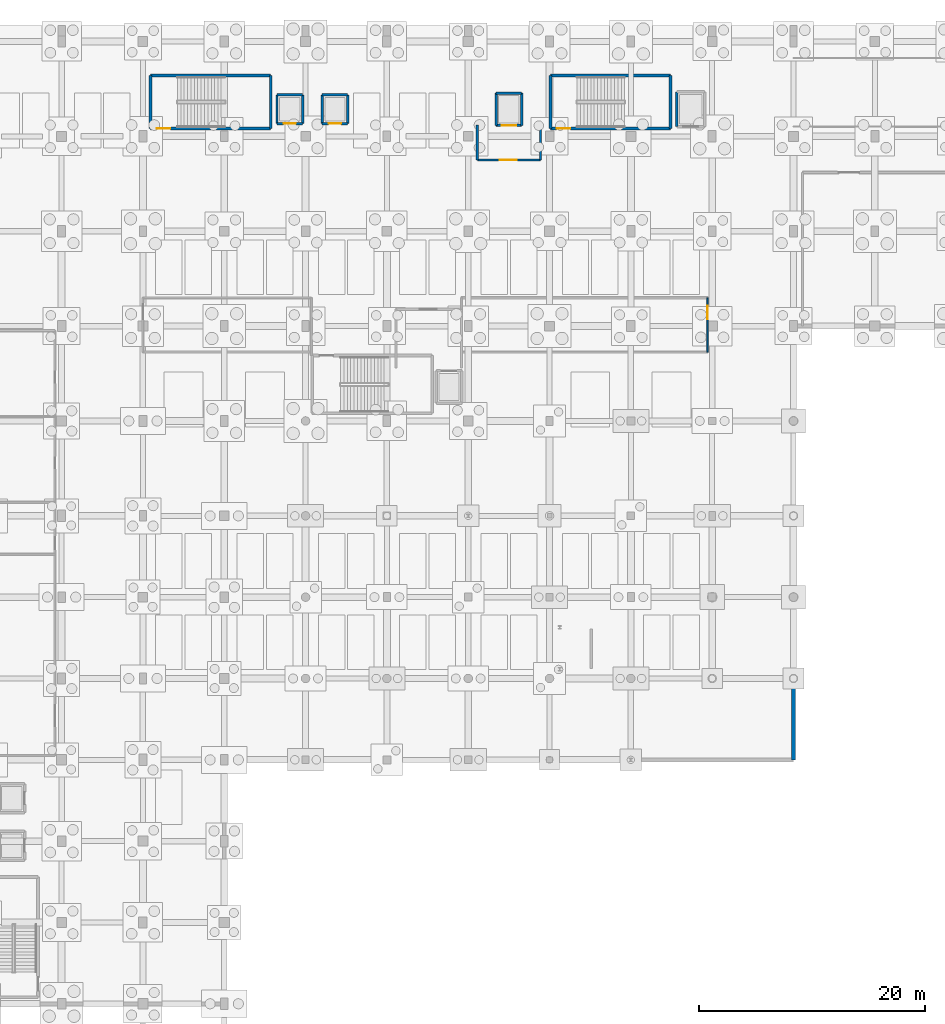
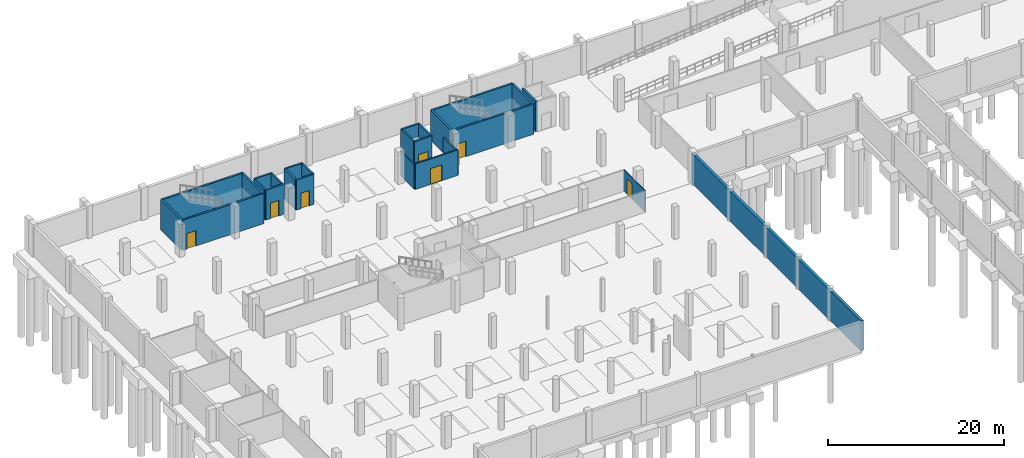
# One storey, part 23 of 35: 26 walls, 7 doors, 7 openings.
"""IFC4 building model written with IfcOpenShell, lengths in metres."""

from ifc_helpers import new_model, si_unit, direction, frame, frame_2d, origin, place, context, subcontext, project, spatial, rectangle, extrude, material, layer, layer_set, type_object, element, fill, save


model = new_model("IFC4")

# Units and contexts
model_context = context("Model", 3, precision=1e-05, world=origin(), true_north=direction((0.0, 1.0)))
body_context = subcontext(model_context, "Body", "Model", "MODEL_VIEW")
ifc_project = project(units=[si_unit("LENGTHUNIT", "METRE"), si_unit("AREAUNIT", "SQUARE_METRE"), si_unit("VOLUMEUNIT", "CUBIC_METRE"), si_unit("PLANEANGLEUNIT", "RADIAN"), si_unit("MASSUNIT", "GRAM", prefix="KILO")], contexts=[model_context])

# Site, building, storey
site_placement = place(None, origin())
site = spatial("IfcSite", under=ifc_project, at=site_placement, CompositionType="ELEMENT")
building_placement = place(site_placement, origin())
building = spatial("IfcBuilding", under=site, at=building_placement, Name="Kalluvel Institute of Natural Sciences", CompositionType="ELEMENT")
storey_placement = place(building_placement, frame((0.0, 0.0, -4.5)))
storey = spatial("IfcBuildingStorey", under=building, at=storey_placement, Name="B1", CompositionType="ELEMENT", Elevation=-4.5)

# Wall, opening, door
ifc_material_1 = material(Name="Concrete M40", Category="concrete")
ifc_layer_1 = layer(ifc_material_1, 0.25)
ifc_layer_set_1 = layer_set([ifc_layer_1], Name="Concrete M40")
wall_type_1 = type_object("IfcWallType", Name="WL-CORE-250", PredefinedType="SHEAR", material=ifc_layer_set_1)
wall_1_placement = place(storey_placement, frame((29.0849609375, 120.284912109375, 0.0), z_axis=(0.0, 0.0, 1.0), x_axis=(1.0, 0.0, 0.0)))
wall_1 = element("IfcWall", 1, at=wall_1_placement, inside=storey, type_object=wall_type_1, Name="ST1 B1 core wall S", PredefinedType="SHEAR", context=body_context, shape_type="SweptSolid", body=[
    extrude(rectangle(XDim=10.630126953125, YDim=0.25, at=frame_2d((5.31494140625, 0.0))), origin(), (0.0, 0.0, 1.0), 4.175048828125),
])
opening_1_placement = place(wall_1_placement, frame((0.550048828125, 0.0, 0.0)))
opening_1 = element("IfcOpeningElement", 2, at=opening_1_placement, cuts=wall_1, Name="Opening DS-001", PredefinedType="OPENING", context=body_context, shape_type="SweptSolid", body=[
    extrude(rectangle(XDim=1.199951171875, YDim=2.14990234375, at=frame_2d((0.60009765625, 1.074951171875))), frame((0.0, 0.135009765625, 0.0), z_axis=(0.0, -1.0, 0.0), x_axis=(1.0, 0.0, 0.0)), (0.0, 0.0, 1.0), 0.27001953125),
])
ifc_material_2 = material(Name="Galvanized Fire-Rated Steel", Category="steel")
door_type_1 = type_object("IfcDoorType", Name="DR-ST-1200", OperationType="NOTDEFINED", PredefinedType="DOOR", material=ifc_material_2)
door_1_placement = place(opening_1_placement, origin())
door_1 = element("IfcDoor", 3, at=door_1_placement, inside=storey, type_object=door_type_1, Name="ST1 B1 protected stair door DS-001", OperationType="SINGLE_SWING_LEFT", OverallHeight=2.14990234375, OverallWidth=1.199951171875, PredefinedType="DOOR", context=body_context, shape_type="SweptSolid", body=[
    extrude(rectangle(XDim=1.199951171875, YDim=2.14990234375, at=frame_2d((0.60009765625, 1.074951171875))), frame((0.0, 0.02490234375, 0.0), z_axis=(0.0, -1.0, 0.0), x_axis=(1.0, 0.0, 0.0)), (0.0, 0.0, 1.0), 0.050048828125),
])
fill(opening_1, door_1)

# Walls
wall_2_placement = place(storey_placement, frame((39.715087890625, 120.284912109375, 0.0), z_axis=(0.0, 0.0, 1.0), x_axis=(0.0, 1.0, 0.0)))
element("IfcWall", 4, at=wall_2_placement, inside=storey, type_object=wall_type_1, Name="ST1 B1 core wall E", PredefinedType="SHEAR", context=body_context, shape_type="SweptSolid", body=[
    extrude(rectangle(XDim=4.7001953125, YDim=0.25, at=frame_2d((2.35009765625, 0.0))), origin(), (0.0, 0.0, 1.0), 4.175048828125),
])
wall_3_placement = place(storey_placement, frame((39.715087890625, 124.985107421875, 0.0), z_axis=(0.0, 0.0, 1.0), x_axis=(-1.0, 0.0, 0.0)))
element("IfcWall", 5, at=wall_3_placement, inside=storey, type_object=wall_type_1, Name="ST1 B1 core wall N", PredefinedType="SHEAR", context=body_context, shape_type="SweptSolid", body=[
    extrude(rectangle(XDim=10.630126953125, YDim=0.25, at=frame_2d((5.31494140625, 0.0))), origin(), (0.0, 0.0, 1.0), 4.175048828125),
])
wall_4_placement = place(storey_placement, frame((29.0849609375, 124.985107421875, 0.0), z_axis=(0.0, 0.0, 1.0), x_axis=(0.0, -1.0, 0.0)))
element("IfcWall", 6, at=wall_4_placement, inside=storey, type_object=wall_type_1, Name="ST1 B1 core wall W", PredefinedType="SHEAR", context=body_context, shape_type="SweptSolid", body=[
    extrude(rectangle(XDim=4.7001953125, YDim=0.25, at=frame_2d((2.35009765625, 0.0))), origin(), (0.0, 0.0, 1.0), 4.175048828125),
])

# Wall, opening, door
wall_5_placement = place(storey_placement, frame((64.485107421875, 120.284912109375, 0.0), z_axis=(0.0, 0.0, 1.0), x_axis=(1.0, 0.0, 0.0)))
wall_5 = element("IfcWall", 7, at=wall_5_placement, inside=storey, type_object=wall_type_1, Name="ST2 B1 core wall S", PredefinedType="SHEAR", context=body_context, shape_type="SweptSolid", body=[
    extrude(rectangle(XDim=10.6298828125, YDim=0.25, at=frame_2d((5.31494140625, 0.0))), origin(), (0.0, 0.0, 1.0), 4.175048828125),
])
opening_2_placement = place(wall_5_placement, frame((0.550048828125, 0.0, 0.0)))
opening_2 = element("IfcOpeningElement", 8, at=opening_2_placement, cuts=wall_5, Name="Opening DS-012", PredefinedType="OPENING", context=body_context, shape_type="SweptSolid", body=[
    extrude(rectangle(XDim=1.199951171875, YDim=2.14990234375, at=frame_2d((0.60009765625, 1.074951171875))), frame((0.0, 0.135009765625, 0.0), z_axis=(0.0, -1.0, 0.0), x_axis=(1.0, 0.0, 0.0)), (0.0, 0.0, 1.0), 0.27001953125),
])
door_2_placement = place(opening_2_placement, origin())
door_2 = element("IfcDoor", 9, at=door_2_placement, inside=storey, type_object=door_type_1, Name="ST2 B1 protected stair door DS-012", OperationType="SINGLE_SWING_LEFT", OverallHeight=2.14990234375, OverallWidth=1.199951171875, PredefinedType="DOOR", context=body_context, shape_type="SweptSolid", body=[
    extrude(rectangle(XDim=1.199951171875, YDim=2.14990234375, at=frame_2d((0.60009765625, 1.074951171875))), frame((0.0, 0.02490234375, 0.0), z_axis=(0.0, -1.0, 0.0), x_axis=(1.0, 0.0, 0.0)), (0.0, 0.0, 1.0), 0.050048828125),
])
fill(opening_2, door_2)

# Walls
wall_6_placement = place(storey_placement, frame((75.114990234375, 120.284912109375, 0.0), z_axis=(0.0, 0.0, 1.0), x_axis=(0.0, 1.0, 0.0)))
element("IfcWall", 10, at=wall_6_placement, inside=storey, type_object=wall_type_1, Name="ST2 B1 core wall E", PredefinedType="SHEAR", context=body_context, shape_type="SweptSolid", body=[
    extrude(rectangle(XDim=4.7001953125, YDim=0.25, at=frame_2d((2.35009765625, 0.0))), origin(), (0.0, 0.0, 1.0), 4.175048828125),
])
wall_7_placement = place(storey_placement, frame((75.114990234375, 124.985107421875, 0.0), z_axis=(0.0, 0.0, 1.0), x_axis=(-1.0, 0.0, 0.0)))
element("IfcWall", 11, at=wall_7_placement, inside=storey, type_object=wall_type_1, Name="ST2 B1 core wall N", PredefinedType="SHEAR", context=body_context, shape_type="SweptSolid", body=[
    extrude(rectangle(XDim=10.6298828125, YDim=0.25, at=frame_2d((5.31494140625, 0.0))), origin(), (0.0, 0.0, 1.0), 4.175048828125),
])
wall_8_placement = place(storey_placement, frame((64.485107421875, 124.985107421875, 0.0), z_axis=(0.0, 0.0, 1.0), x_axis=(0.0, -1.0, 0.0)))
element("IfcWall", 12, at=wall_8_placement, inside=storey, type_object=wall_type_1, Name="ST2 B1 core wall W", PredefinedType="SHEAR", context=body_context, shape_type="SweptSolid", body=[
    extrude(rectangle(XDim=4.7001953125, YDim=0.25, at=frame_2d((2.35009765625, 0.0))), origin(), (0.0, 0.0, 1.0), 4.175048828125),
])
ifc_material_3 = material(Name="Autoclaved Aerated Concrete Masonry Block", Category="masonry")
ifc_layer_2 = layer(ifc_material_3, 0.179931640625)
ifc_layer_set_2 = layer_set([ifc_layer_2], Name="Autoclaved Aerated Concrete Masonry Block")
wall_type_2 = type_object("IfcWallType", Name="WL-FIRE-180", PredefinedType="SOLIDWALL", material=ifc_layer_set_2)
wall_9_placement = place(storey_placement, frame((58.0, 117.5, 0.0), z_axis=(0.0, 0.0, 1.0), x_axis=(0.0, 1.0, 0.0)))
element("IfcWall", 13, at=wall_9_placement, inside=storey, type_object=wall_type_2, Name="B1 interior fire wall WL-INT-B1-0002", PredefinedType="SOLIDWALL", context=body_context, shape_type="SweptSolid", body=[
    extrude(rectangle(XDim=3.10009765625, YDim=0.179931640625, at=frame_2d((1.550048828125, 0.0))), origin(), (0.0, 0.0, 1.0), 3.360107421875),
])

# Wall, opening, door
ifc_layer_3 = layer(ifc_material_3, 0.199951171875)
ifc_layer_set_3 = layer_set([ifc_layer_3], Name="Autoclaved Aerated Concrete Masonry Block")
wall_type_3 = type_object("IfcWallType", Name="WL-FIRE-200", PredefinedType="SOLIDWALL", material=ifc_layer_set_3)
wall_10_placement = place(storey_placement, frame((58.0, 117.5, 0.0), z_axis=(0.0, 0.0, 1.0), x_axis=(1.0, 0.0, 0.0)))
wall_10 = element("IfcWall", 14, at=wall_10_placement, inside=storey, type_object=wall_type_3, Name="B1 interior fire wall WL-INT-B1-0001", PredefinedType="SOLIDWALL", context=body_context, shape_type="SweptSolid", body=[
    extrude(rectangle(XDim=5.60009765625, YDim=0.199951171875, at=frame_2d((2.800048828125, 0.0))), origin(), (0.0, 0.0, 1.0), 3.5400390625),
])
opening_3_placement = place(wall_10_placement, frame((2.0, 0.0, 0.0)))
opening_3 = element("IfcOpeningElement", 15, at=opening_3_placement, cuts=wall_10, Name="Opening D-050", PredefinedType="OPENING", context=body_context, shape_type="SweptSolid", body=[
    extrude(rectangle(XDim=1.5, YDim=2.199951171875, at=frame_2d((0.75, 1.10009765625))), frame((0.0, 0.10986328125, 0.0), z_axis=(0.0, -1.0, 0.0), x_axis=(1.0, 0.0, 0.0)), (0.0, 0.0, 1.0), 0.219970703125),
])
door_type_2 = type_object("IfcDoorType", Name="DR-FD60-1500", OperationType="NOTDEFINED", PredefinedType="DOOR", material=ifc_material_2)
door_3_placement = place(opening_3_placement, origin())
door_3 = element("IfcDoor", 16, at=door_3_placement, inside=storey, type_object=door_type_2, Name="B1 FF1 door door D-050", OperationType="DOUBLE_DOOR_SINGLE_SWING", OverallHeight=2.199951171875, OverallWidth=1.5, PredefinedType="DOOR", context=body_context, shape_type="SweptSolid", body=[
    extrude(rectangle(XDim=1.5, YDim=2.199951171875, at=frame_2d((0.75, 1.10009765625))), frame((0.0, 0.02490234375, 0.0), z_axis=(0.0, -1.0, 0.0), x_axis=(1.0, 0.0, 0.0)), (0.0, 0.0, 1.0), 0.050048828125),
])
fill(opening_3, door_3)

# Wall
wall_11_placement = place(storey_placement, frame((63.60009765625, 117.5, 0.0), z_axis=(0.0, 0.0, 1.0), x_axis=(0.0, 1.0, 0.0)))
element("IfcWall", 17, at=wall_11_placement, inside=storey, type_object=wall_type_3, Name="B1 interior fire wall WL-INT-B1-0003", PredefinedType="SOLIDWALL", context=body_context, shape_type="SweptSolid", body=[
    extrude(rectangle(XDim=3.10009765625, YDim=0.199951171875, at=frame_2d((1.550048828125, 0.0))), origin(), (0.0, 0.0, 1.0), 3.360107421875),
])

# Wall, opening, door
ifc_material_4 = material(Name="Acoustic Gypsum Twin-Stud Partition", Category="gypsum")
ifc_layer_4 = layer(ifc_material_4, 0.1201171875)
ifc_layer_set_4 = layer_set([ifc_layer_4], Name="Acoustic Gypsum Twin-Stud Partition")
wall_type_4 = type_object("IfcWallType", Name="WL-PART-120", PredefinedType="PARTITIONING", material=ifc_layer_set_4)
wall_12_placement = place(storey_placement, frame((78.39990234375, 100.5, 0.0), z_axis=(0.0, 0.0, 1.0), x_axis=(0.0, 1.0, 0.0)))
wall_12 = element("IfcWall", 18, at=wall_12_placement, inside=storey, type_object=wall_type_4, Name="B1 interior partition wall WL-INT-B1-0012", PredefinedType="PARTITIONING", context=body_context, shape_type="SweptSolid", body=[
    extrude(rectangle(XDim=4.800048828125, YDim=0.1201171875, at=frame_2d((2.39990234375, 0.0))), origin(), (0.0, 0.0, 1.0), 2.9599609375),
])
opening_4_placement = place(wall_12_placement, frame((2.89990234375, 0.0, 0.0)))
opening_4 = element("IfcOpeningElement", 19, at=opening_4_placement, cuts=wall_12, Name="Opening D-053", PredefinedType="OPENING", context=body_context, shape_type="SweptSolid", body=[
    extrude(rectangle(XDim=1.179931640625, YDim=2.199951171875, at=frame_2d((0.58984375, 1.10009765625))), frame((0.0, 0.070068359375, 0.0), z_axis=(0.0, -1.0, 0.0), x_axis=(1.0, 0.0, 0.0)), (0.0, 0.0, 1.0), 0.14013671875),
])
ifc_material_5 = material(Name="Engineered Hardwood Acoustic Leaf", Category="wood")
door_type_3 = type_object("IfcDoorType", Name="DR-INT-1180", OperationType="NOTDEFINED", PredefinedType="DOOR", material=ifc_material_5)
door_4_placement = place(opening_4_placement, origin())
door_4 = element("IfcDoor", 20, at=door_4_placement, inside=storey, type_object=door_type_3, Name="B1 East Cryo-Archive door D-053", OperationType="SINGLE_SWING_LEFT", OverallHeight=2.199951171875, OverallWidth=1.179931640625, PredefinedType="DOOR", context=body_context, shape_type="SweptSolid", body=[
    extrude(rectangle(XDim=1.179931640625, YDim=2.199951171875, at=frame_2d((0.58984375, 1.10009765625))), frame((0.0, 0.02490234375, 0.0), z_axis=(0.0, -1.0, 0.0), x_axis=(1.0, 0.0, 0.0)), (0.0, 0.0, 1.0), 0.050048828125),
])
fill(opening_4, door_4)

# Wall
ifc_layer_5 = layer(ifc_material_1, 0.35009765625)
ifc_layer_set_5 = layer_set([ifc_layer_5], Name="Concrete M40")
wall_type_5 = type_object("IfcWallType", Name="WL-RET-350", PredefinedType="USERDEFINED", material=ifc_layer_set_5)
wall_13_placement = place(storey_placement, frame((86.0, 64.39990234375, 0.0), z_axis=(0.0, 0.0, 1.0), x_axis=(0.0, 1.0, 0.0)))
element("IfcWall", 21, at=wall_13_placement, inside=storey, type_object=wall_type_5, Name="Basement perimeter plinth retaining wall 15", ObjectType="RETAINING WALL", PredefinedType="USERDEFINED", context=body_context, shape_type="SweptSolid", body=[
    extrude(rectangle(XDim=38.400146484375, YDim=0.35009765625, at=frame_2d((19.2001953125, 0.0))), origin(), (0.0, 0.0, 1.0), 4.159912109375),
])

# Wall, opening, door
ifc_layer_6 = layer(ifc_material_1, 0.219970703125)
ifc_layer_set_6 = layer_set([ifc_layer_6], Name="Concrete M40")
wall_type_6 = type_object("IfcWallType", Name="WL-SHAFT-220", PredefinedType="SHEAR", material=ifc_layer_set_6)
wall_14_placement = place(storey_placement, frame((40.27001953125, 120.719970703125, 0.0), z_axis=(0.0, 0.0, 1.0), x_axis=(1.0, 0.0, 0.0)))
wall_14 = element("IfcWall", 22, at=wall_14_placement, inside=storey, type_object=wall_type_6, Name="LF1 B1 lift shaft wall", PredefinedType="SHEAR", context=body_context, shape_type="SweptSolid", body=[
    extrude(rectangle(XDim=2.260009765625, YDim=0.219970703125, at=frame_2d((1.1298828125, 0.0))), origin(), (0.0, 0.0, 1.0), 4.175048828125),
])
opening_5_placement = place(wall_14_placement, frame((0.580078125, 0.0, 0.0)))
opening_5 = element("IfcOpeningElement", 23, at=opening_5_placement, cuts=wall_14, Name="Opening LD-001", PredefinedType="OPENING", context=body_context, shape_type="SweptSolid", body=[
    extrude(rectangle(XDim=1.10009765625, YDim=2.14990234375, at=frame_2d((0.550048828125, 1.074951171875))), frame((0.0, 0.119873046875, 0.0), z_axis=(0.0, -1.0, 0.0), x_axis=(1.0, 0.0, 0.0)), (0.0, 0.0, 1.0), 0.239990234375),
])
door_type_4 = type_object("IfcDoorType", Name="DR-LD-1100", OperationType="NOTDEFINED", PredefinedType="DOOR", material=ifc_material_2)
door_5_placement = place(opening_5_placement, origin())
door_5 = element("IfcDoor", 24, at=door_5_placement, inside=storey, type_object=door_type_4, Name="LF1 B1 sliding lift landing door LD-001", OperationType="DOUBLE_DOOR_SLIDING", OverallHeight=2.14990234375, OverallWidth=1.10009765625, PredefinedType="DOOR", context=body_context, shape_type="SweptSolid", body=[
    extrude(rectangle(XDim=1.10009765625, YDim=2.14990234375, at=frame_2d((0.550048828125, 1.074951171875))), frame((0.0, 0.02490234375, 0.0), z_axis=(0.0, -1.0, 0.0), x_axis=(1.0, 0.0, 0.0)), (0.0, 0.0, 1.0), 0.050048828125),
])
fill(opening_5, door_5)

# Walls
wall_15_placement = place(storey_placement, frame((42.530029296875, 120.719970703125, 0.0), z_axis=(0.0, 0.0, 1.0), x_axis=(0.0, 1.0, 0.0)))
element("IfcWall", 25, at=wall_15_placement, inside=storey, type_object=wall_type_6, Name="LF1 B1 lift shaft wall", PredefinedType="SHEAR", context=body_context, shape_type="SweptSolid", body=[
    extrude(rectangle(XDim=2.56005859375, YDim=0.219970703125, at=frame_2d((1.280029296875, 0.0))), origin(), (0.0, 0.0, 1.0), 4.175048828125),
])
wall_16_placement = place(storey_placement, frame((42.530029296875, 123.280029296875, 0.0), z_axis=(0.0, 0.0, 1.0), x_axis=(-1.0, 0.0, 0.0)))
element("IfcWall", 26, at=wall_16_placement, inside=storey, type_object=wall_type_6, Name="LF1 B1 lift shaft wall", PredefinedType="SHEAR", context=body_context, shape_type="SweptSolid", body=[
    extrude(rectangle(XDim=2.260009765625, YDim=0.219970703125, at=frame_2d((1.1298828125, 0.0))), origin(), (0.0, 0.0, 1.0), 4.175048828125),
])
wall_17_placement = place(storey_placement, frame((40.27001953125, 123.280029296875, 0.0), z_axis=(0.0, 0.0, 1.0), x_axis=(0.0, -1.0, 0.0)))
element("IfcWall", 27, at=wall_17_placement, inside=storey, type_object=wall_type_6, Name="LF1 B1 lift shaft wall", PredefinedType="SHEAR", context=body_context, shape_type="SweptSolid", body=[
    extrude(rectangle(XDim=2.56005859375, YDim=0.219970703125, at=frame_2d((1.280029296875, 0.0))), origin(), (0.0, 0.0, 1.0), 4.175048828125),
])

# Wall, opening, door
wall_18_placement = place(storey_placement, frame((44.27001953125, 120.719970703125, 0.0), z_axis=(0.0, 0.0, 1.0), x_axis=(1.0, 0.0, 0.0)))
wall_18 = element("IfcWall", 28, at=wall_18_placement, inside=storey, type_object=wall_type_6, Name="LF2 B1 lift shaft wall", PredefinedType="SHEAR", context=body_context, shape_type="SweptSolid", body=[
    extrude(rectangle(XDim=2.260009765625, YDim=0.219970703125, at=frame_2d((1.1298828125, 0.0))), origin(), (0.0, 0.0, 1.0), 4.175048828125),
])
opening_6_placement = place(wall_18_placement, frame((0.580078125, 0.0, 0.0)))
opening_6 = element("IfcOpeningElement", 29, at=opening_6_placement, cuts=wall_18, Name="Opening LD-011", PredefinedType="OPENING", context=body_context, shape_type="SweptSolid", body=[
    extrude(rectangle(XDim=1.10009765625, YDim=2.14990234375, at=frame_2d((0.550048828125, 1.074951171875))), frame((0.0, 0.119873046875, 0.0), z_axis=(0.0, -1.0, 0.0), x_axis=(1.0, 0.0, 0.0)), (0.0, 0.0, 1.0), 0.239990234375),
])
door_6_placement = place(opening_6_placement, origin())
door_6 = element("IfcDoor", 30, at=door_6_placement, inside=storey, type_object=door_type_4, Name="LF2 B1 sliding lift landing door LD-011", OperationType="DOUBLE_DOOR_SLIDING", OverallHeight=2.14990234375, OverallWidth=1.10009765625, PredefinedType="DOOR", context=body_context, shape_type="SweptSolid", body=[
    extrude(rectangle(XDim=1.10009765625, YDim=2.14990234375, at=frame_2d((0.550048828125, 1.074951171875))), frame((0.0, 0.02490234375, 0.0), z_axis=(0.0, -1.0, 0.0), x_axis=(1.0, 0.0, 0.0)), (0.0, 0.0, 1.0), 0.050048828125),
])
fill(opening_6, door_6)

# Walls
wall_19_placement = place(storey_placement, frame((46.530029296875, 120.719970703125, 0.0), z_axis=(0.0, 0.0, 1.0), x_axis=(0.0, 1.0, 0.0)))
element("IfcWall", 31, at=wall_19_placement, inside=storey, type_object=wall_type_6, Name="LF2 B1 lift shaft wall", PredefinedType="SHEAR", context=body_context, shape_type="SweptSolid", body=[
    extrude(rectangle(XDim=2.56005859375, YDim=0.219970703125, at=frame_2d((1.280029296875, 0.0))), origin(), (0.0, 0.0, 1.0), 4.175048828125),
])
wall_20_placement = place(storey_placement, frame((46.530029296875, 123.280029296875, 0.0), z_axis=(0.0, 0.0, 1.0), x_axis=(-1.0, 0.0, 0.0)))
element("IfcWall", 32, at=wall_20_placement, inside=storey, type_object=wall_type_6, Name="LF2 B1 lift shaft wall", PredefinedType="SHEAR", context=body_context, shape_type="SweptSolid", body=[
    extrude(rectangle(XDim=2.260009765625, YDim=0.219970703125, at=frame_2d((1.1298828125, 0.0))), origin(), (0.0, 0.0, 1.0), 4.175048828125),
])
wall_21_placement = place(storey_placement, frame((44.27001953125, 123.280029296875, 0.0), z_axis=(0.0, 0.0, 1.0), x_axis=(0.0, -1.0, 0.0)))
element("IfcWall", 33, at=wall_21_placement, inside=storey, type_object=wall_type_6, Name="LF2 B1 lift shaft wall", PredefinedType="SHEAR", context=body_context, shape_type="SweptSolid", body=[
    extrude(rectangle(XDim=2.56005859375, YDim=0.219970703125, at=frame_2d((1.280029296875, 0.0))), origin(), (0.0, 0.0, 1.0), 4.175048828125),
])

# Wall, opening, door
wall_22_placement = place(storey_placement, frame((59.669921875, 120.570068359375, 0.0), z_axis=(0.0, 0.0, 1.0), x_axis=(1.0, 0.0, 0.0)))
wall_22 = element("IfcWall", 34, at=wall_22_placement, inside=storey, type_object=wall_type_6, Name="LF3 B1 lift shaft wall", PredefinedType="SHEAR", context=body_context, shape_type="SweptSolid", body=[
    extrude(rectangle(XDim=2.260009765625, YDim=0.219970703125, at=frame_2d((1.1298828125, 0.0))), origin(), (0.0, 0.0, 1.0), 4.175048828125),
])
opening_7_placement = place(wall_22_placement, frame((0.47998046875, 0.0, 0.0)))
opening_7 = element("IfcOpeningElement", 35, at=opening_7_placement, cuts=wall_22, Name="Opening LD-021", PredefinedType="OPENING", context=body_context, shape_type="SweptSolid", body=[
    extrude(rectangle(XDim=1.300048828125, YDim=2.199951171875, at=frame_2d((0.64990234375, 1.10009765625))), frame((0.0, 0.119873046875, 0.0), z_axis=(0.0, -1.0, 0.0), x_axis=(1.0, 0.0, 0.0)), (0.0, 0.0, 1.0), 0.239990234375),
])
door_type_5 = type_object("IfcDoorType", Name="DR-LD-1300", OperationType="NOTDEFINED", PredefinedType="DOOR", material=ifc_material_2)
door_7_placement = place(opening_7_placement, origin())
door_7 = element("IfcDoor", 36, at=door_7_placement, inside=storey, type_object=door_type_5, Name="LF3 B1 sliding lift landing door LD-021", OperationType="DOUBLE_DOOR_SLIDING", OverallHeight=2.199951171875, OverallWidth=1.300048828125, PredefinedType="DOOR", context=body_context, shape_type="SweptSolid", body=[
    extrude(rectangle(XDim=1.300048828125, YDim=2.199951171875, at=frame_2d((0.64990234375, 1.10009765625))), frame((0.0, 0.02490234375, 0.0), z_axis=(0.0, -1.0, 0.0), x_axis=(1.0, 0.0, 0.0)), (0.0, 0.0, 1.0), 0.050048828125),
])
fill(opening_7, door_7)

# Walls
wall_23_placement = place(storey_placement, frame((61.929931640625, 120.570068359375, 0.0), z_axis=(0.0, 0.0, 1.0), x_axis=(0.0, 1.0, 0.0)))
element("IfcWall", 37, at=wall_23_placement, inside=storey, type_object=wall_type_6, Name="LF3 B1 lift shaft wall", PredefinedType="SHEAR", context=body_context, shape_type="SweptSolid", body=[
    extrude(rectangle(XDim=2.85986328125, YDim=0.219970703125, at=frame_2d((1.429931640625, 0.0))), origin(), (0.0, 0.0, 1.0), 4.175048828125),
])
wall_24_placement = place(storey_placement, frame((61.929931640625, 123.429931640625, 0.0), z_axis=(0.0, 0.0, 1.0), x_axis=(-1.0, 0.0, 0.0)))
element("IfcWall", 38, at=wall_24_placement, inside=storey, type_object=wall_type_6, Name="LF3 B1 lift shaft wall", PredefinedType="SHEAR", context=body_context, shape_type="SweptSolid", body=[
    extrude(rectangle(XDim=2.260009765625, YDim=0.219970703125, at=frame_2d((1.1298828125, 0.0))), origin(), (0.0, 0.0, 1.0), 4.175048828125),
])
wall_25_placement = place(storey_placement, frame((59.669921875, 123.429931640625, 0.0), z_axis=(0.0, 0.0, 1.0), x_axis=(0.0, -1.0, 0.0)))
element("IfcWall", 39, at=wall_25_placement, inside=storey, type_object=wall_type_6, Name="LF3 B1 lift shaft wall", PredefinedType="SHEAR", context=body_context, shape_type="SweptSolid", body=[
    extrude(rectangle(XDim=2.85986328125, YDim=0.219970703125, at=frame_2d((1.429931640625, 0.0))), origin(), (0.0, 0.0, 1.0), 4.175048828125),
])
wall_26_placement = place(storey_placement, frame((75.669921875, 123.530029296875, 0.0), z_axis=(0.0, 0.0, 1.0), x_axis=(0.0, -1.0, 0.0)))
element("IfcWall", 40, at=wall_26_placement, inside=storey, type_object=wall_type_6, Name="LF4 B1 lift shaft wall", PredefinedType="SHEAR", context=body_context, shape_type="SweptSolid", body=[
    extrude(rectangle(XDim=3.06005859375, YDim=0.219970703125, at=frame_2d((1.530029296875, 0.0))), origin(), (0.0, 0.0, 1.0), 4.175048828125),
])

save(model, "model.ifc")
